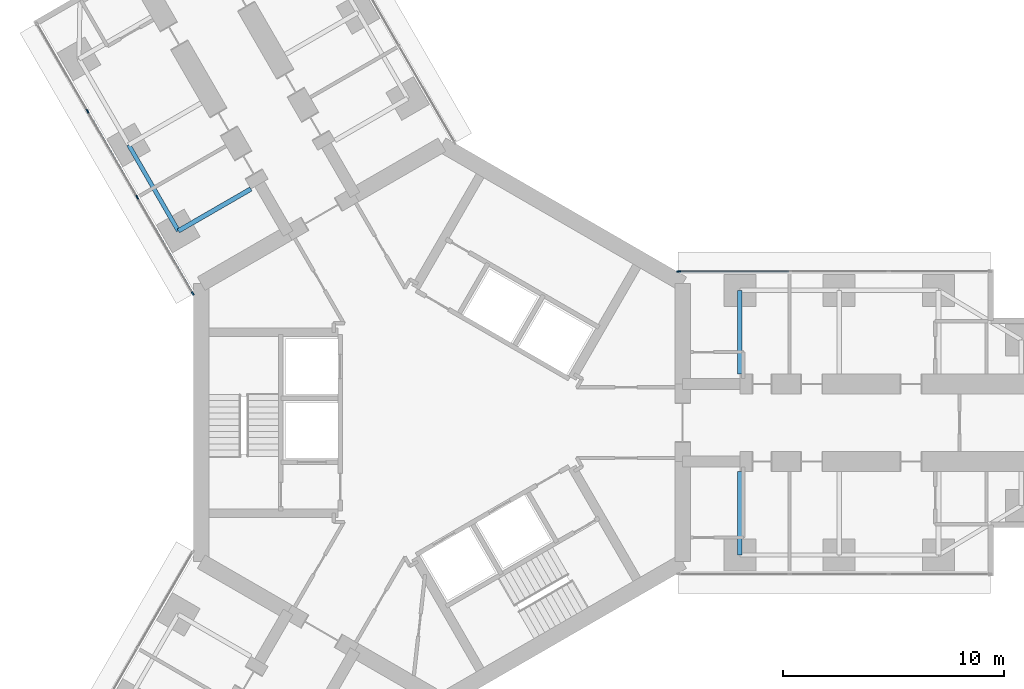
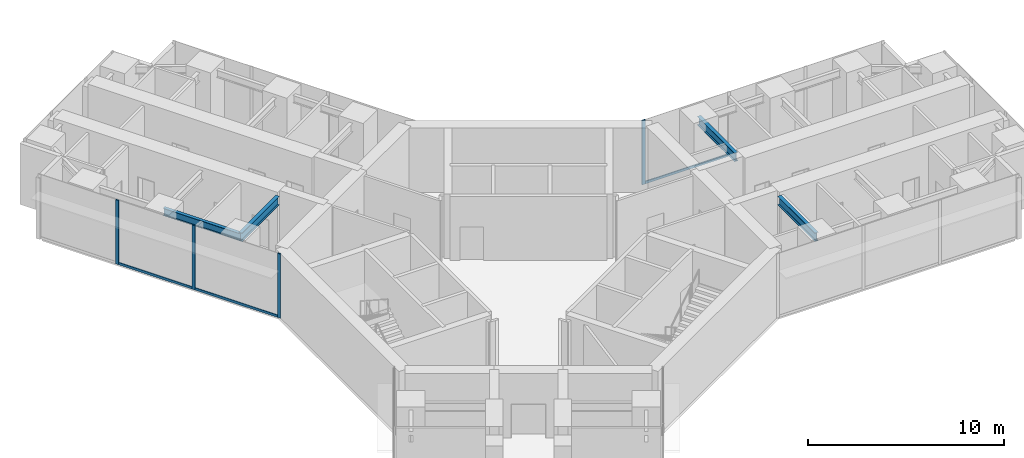
# One storey, part 6 of 24: 7 members, 4 beams, 2 elements without a shape of their own.
"""IFC4 building model written with IfcOpenShell, lengths in metres."""

import ifcopenshell
import ifcopenshell.guid

model = None  # the IFC model being written
_history = None  # IfcOwnerHistory: only IFC2X3 demands one
_inside = {}  # id of a spatial element -> (the spatial element, [elements in it])
_under = {}  # id of a project, library or spatial element -> (it, [spatial elements below it])
_declared = {}  # id of a project -> (the project, [libraries it declares])
_typed = {}  # id of a type object -> (the type object, [elements of that type])
_made_of = {}  # id of a material, layer set ... -> (it, [elements and type objects made of it])


def new_model(schema):
    """Start an empty IFC model of exactly this schema.

    Asked for "IFC4X3", IfcOpenShell would pick the latest addendum, in which some entities
    have other attributes; the version numbers below select the first issue.
    IFC2X3 requires an IfcOwnerHistory on every rooted entity: one is made here for all.
    """
    global model, _history
    if schema == "IFC4X3":
        model = ifcopenshell.file(schema_version=(4, 3, 0, 0))
    else:
        model = ifcopenshell.file(schema=schema)
    _inside.clear()
    _under.clear()
    _declared.clear()
    _typed.clear()
    _made_of.clear()
    _history = None
    if model.schema == "IFC2X3":
        org = make("IfcOrganization", Name="unknown")
        user = make(
            "IfcPersonAndOrganization",
            ThePerson=make("IfcPerson", FamilyName="unknown"),
            TheOrganization=org,
        )
        app = make(
            "IfcApplication",
            ApplicationDeveloper=org,
            Version="unknown",
            ApplicationFullName="unknown",
            ApplicationIdentifier="unknown",
        )
        _history = make(
            "IfcOwnerHistory",
            OwningUser=user,
            OwningApplication=app,
            ChangeAction="ADDED",
            CreationDate=0,
        )
    return model


def make(cls, **values):
    """One entity of the class cls with the attributes given. An attribute that is None is left unset."""
    return model.create_entity(
        cls, **{name: value for name, value in values.items() if value is not None}
    )


def rooted(cls, **values):
    """An entity with a GlobalId (a new one), such as an element, a storey or a relation."""
    return make(cls, GlobalId=ifcopenshell.guid.new(), OwnerHistory=_history, **values)


def si_unit(unit_type, name, prefix=None):
    """IfcSIUnit, for example si_unit("LENGTHUNIT", "METRE", prefix="MILLI")."""
    return make("IfcSIUnit", UnitType=unit_type, Prefix=prefix, Name=name)


def assignment(units):
    """IfcUnitAssignment: the units of a project."""
    return None if units is None else make("IfcUnitAssignment", Units=units)


def point(xyz):
    """IfcCartesianPoint."""
    return None if xyz is None else make("IfcCartesianPoint", Coordinates=xyz)


def direction(xyz):
    """IfcDirection."""
    return None if xyz is None else make("IfcDirection", DirectionRatios=xyz)


def frame(location, z_axis=None, x_axis=None):
    """IfcAxis2Placement3D, a coordinate frame: its origin and axes. An axis left out is left unset."""
    return make(
        "IfcAxis2Placement3D",
        Location=point(location),
        Axis=direction(z_axis),
        RefDirection=direction(x_axis),
    )


def frame_2d(location, x_axis=None):
    """IfcAxis2Placement2D, a coordinate frame in the plane: its origin and x axis."""
    return make(
        "IfcAxis2Placement2D", Location=point(location), RefDirection=direction(x_axis)
    )


def origin():
    """The frame at (0, 0, 0) with its axes left unset."""
    return frame((0.0, 0.0, 0.0))


def origin_2d():
    """The frame at (0, 0) in the plane with its x axis left unset."""
    return frame_2d((0.0, 0.0))


def place(relative_to, where):
    """IfcLocalPlacement: puts the frame where relative to a parent placement (None: the world)."""
    return make(
        "IfcLocalPlacement", PlacementRelTo=relative_to, RelativePlacement=where
    )


def context(
    kind, dimensions, precision=None, world=None, true_north=None, identifier=None
):
    """IfcGeometricRepresentationContext, for example the 3D "Model" context."""
    return make(
        "IfcGeometricRepresentationContext",
        ContextIdentifier=identifier,
        ContextType=kind,
        CoordinateSpaceDimension=dimensions,
        Precision=precision,
        WorldCoordinateSystem=world,
        TrueNorth=true_north,
    )


def subcontext(parent, identifier, kind, view, scale=None):
    """IfcGeometricRepresentationSubContext, for example "Body" below "Model"."""
    return make(
        "IfcGeometricRepresentationSubContext",
        ContextIdentifier=identifier,
        ContextType=kind,
        ParentContext=parent,
        TargetScale=scale,
        TargetView=view,
    )


def project(units=None, contexts=None):
    """IfcProject with its units and contexts."""
    return rooted(
        "IfcProject",
        Name="project",
        RepresentationContexts=contexts,
        UnitsInContext=assignment(units),
    )


def spatial(cls, under=None, at=None, **own):
    """A site, building, storey or space (cls), placed at a placement, below another one or the project."""
    s = rooted(cls, ObjectPlacement=at, **own)
    if under is not None:
        _under.setdefault(under.id(), (under, []))[1].append(s)
    return s


def profile(cls, at=None, kind="AREA", **sizes):
    """A parametric profile (cls). Its sizes go by their IFC names, for example OverallWidth=200.0."""
    return make(cls, ProfileType=kind, Position=at, **sizes)


def rectangle(**sizes):
    """IfcRectangleProfileDef."""
    return profile("IfcRectangleProfileDef", **sizes)


def i_section(**sizes):
    """IfcIShapeProfileDef."""
    return profile("IfcIShapeProfileDef", **sizes)


def extrude(swept, where, along, depth):
    """IfcExtrudedAreaSolid: the profile swept, set in the frame where, extruded along a direction by depth."""
    return make(
        "IfcExtrudedAreaSolid",
        SweptArea=swept,
        Position=where,
        ExtrudedDirection=direction(along),
        Depth=depth,
    )


def shape(context_of_items, identifier, shape_type, items):
    """IfcShapeRepresentation: the items that make up one representation, for example the "Body"."""
    return make(
        "IfcShapeRepresentation",
        ContextOfItems=context_of_items,
        RepresentationIdentifier=identifier,
        RepresentationType=shape_type,
        Items=items,
    )


def material(Name=None, Category=None):
    """IfcMaterial."""
    return make("IfcMaterial", Name=Name, Category=Category)


def material_profile(
    of_material, cross_section, Name=None, Category=None, Priority=None
):
    """IfcMaterialProfile: a cross section and its material."""
    return make(
        "IfcMaterialProfile",
        Name=Name,
        Material=of_material,
        Profile=cross_section,
        Priority=Priority,
        Category=Category,
    )


def profile_set(profiles, Name=None, composite=None):
    """IfcMaterialProfileSet."""
    return make(
        "IfcMaterialProfileSet",
        Name=Name,
        MaterialProfiles=profiles,
        CompositeProfile=composite,
    )


def made_of(thing, what):
    """Note that an element or type object is made of a material, layer set ...; save() writes the relation."""
    if what is not None:
        _made_of.setdefault(what.id(), (what, []))[1].append(thing)
    return thing


def type_object(cls, material=None, **own):
    """A type object (cls), such as IfcWallType, which elements share."""
    return made_of(rooted(cls, **own), material)


def element(
    cls,
    number,
    at=None,
    inside=None,
    cuts=None,
    type_object=None,
    material=None,
    context=None,
    identifier="Body",
    shape_type=None,
    held_by="IfcProductDefinitionShape",
    body=None,
    shapes=None,
    **own,
):
    """One element of the class cls, such as IfcWall. Its Tag is "e" and its number.

    at: its placement. inside: the storey or other place that contains it. cuts: it is an
    opening in that element (IfcRelVoidsElement). A single representation is given by context,
    identifier, shape_type and body (its items); several are given by shapes. held_by: the class
    of the entity that holds the representations. save() writes the other relations.
    """
    e = rooted(cls, Tag="e%d" % number, ObjectPlacement=at, **own)
    if body is not None:
        shapes = [shape(context, identifier, shape_type, body)]
    if shapes is not None:
        e.Representation = make(held_by, Representations=shapes)
    if inside is not None:
        _inside.setdefault(inside.id(), (inside, []))[1].append(e)
    if cuts is not None:
        rooted(
            "IfcRelVoidsElement", RelatingBuildingElement=cuts, RelatedOpeningElement=e
        )
    if type_object is not None:
        _typed.setdefault(type_object.id(), (type_object, []))[1].append(e)
    return made_of(e, material)


def aggregate(whole, parts):
    """IfcRelAggregates: a whole, such as a stair, and the parts it consists of."""
    return rooted("IfcRelAggregates", RelatingObject=whole, RelatedObjects=parts)


def save(model, path):
    """Write the relations noted so far, then the file.

    IfcRelAggregates (storeys below a building ...), IfcRelContainedInSpatialStructure (elements
    in a storey), IfcRelDefinesByType, IfcRelAssociatesMaterial and IfcRelDeclares: one each for
    every whole, place, type object, material and project.
    """
    for whole, parts in _under.values():
        aggregate(whole, parts)
    for where, things in _inside.values():
        rooted(
            "IfcRelContainedInSpatialStructure",
            RelatedElements=things,
            RelatingStructure=where,
        )
    for kind, things in _typed.values():
        rooted("IfcRelDefinesByType", RelatedObjects=things, RelatingType=kind)
    for what, things in _made_of.values():
        rooted("IfcRelAssociatesMaterial", RelatedObjects=things, RelatingMaterial=what)
    for by, libraries in _declared.values():
        rooted("IfcRelDeclares", RelatingContext=by, RelatedDefinitions=libraries)
    model.write(path)


model = new_model("IFC4")

# Units and contexts
model_context = context("Model", 3, precision=1e-05, world=origin(), true_north=direction((0.0, 1.0)))
body_context = subcontext(model_context, "Body", "Model", "MODEL_VIEW")
ifc_project = project(units=[si_unit("LENGTHUNIT", "METRE"), si_unit("AREAUNIT", "SQUARE_METRE"), si_unit("VOLUMEUNIT", "CUBIC_METRE"), si_unit("PLANEANGLEUNIT", "RADIAN"), si_unit("MASSUNIT", "GRAM", prefix="KILO")], contexts=[model_context])

# Site, building, storey
site_placement = place(None, origin())
site = spatial("IfcSite", under=ifc_project, at=site_placement, CompositionType="ELEMENT")
building_placement = place(site_placement, origin())
building = spatial("IfcBuilding", under=site, at=building_placement, Name="Upepo Twin Towers", CompositionType="ELEMENT")
storey_placement = place(building_placement, frame((0.0, 0.0, 56.5)))
storey = spatial("IfcBuildingStorey", under=building, at=storey_placement, Name="L13", CompositionType="ELEMENT", Elevation=56.5)

# Beams
ifc_material_1 = material(Name="Steel S355", Category="steel")
ifc_material_profile_1 = material_profile(ifc_material_1, i_section(OverallWidth=0.1904296875, OverallDepth=0.45703125, WebThickness=0.009033203125, FlangeThickness=0.014404296875, FilletRadius=0.01025390625, at=origin_2d()), Name="UB 457x191x74")
ifc_profile_set_1 = profile_set([ifc_material_profile_1], Name="Steel S355")
beam_type_1 = type_object("IfcBeamType", Name="Beam UB 457x191x74", PredefinedType="BEAM", material=ifc_profile_set_1)
beam_1_placement = place(storey_placement, frame((-11.946044921875, 8.69140625, 3.571533203125), z_axis=(-0.500013631625, 0.866017533419, 0.0), x_axis=(-0.866017533419, -0.500013631625, 0.0)))
element("IfcBeam", 1, at=beam_1_placement, inside=storey, type_object=beam_type_1, Name="T1 edge beam BL 13.5-18.0", PredefinedType="BEAM", context=body_context, shape_type="SweptSolid", body=[
    extrude(i_section(OverallWidth=0.1904296875, OverallDepth=0.45703125, WebThickness=0.009033203125, FlangeThickness=0.014404296875, FilletRadius=0.01025390625, at=origin_2d()), origin(), (0.0, 0.0, 1.0), 4.499755859375),
])
ifc_material_2 = material(Name="Steel S355", Category="steel")
ifc_material_profile_2 = material_profile(ifc_material_2, i_section(OverallWidth=0.209228515625, OverallDepth=0.533203125, WebThickness=0.010009765625, FlangeThickness=0.015625, FilletRadius=0.0126953125, at=origin_2d()), Name="UB 533x210x92")
ifc_profile_set_2 = profile_set([ifc_material_profile_2], Name="Steel S355")
beam_type_2 = type_object("IfcBeamType", Name="Beam UB 533x210x92", PredefinedType="BEAM", material=ifc_profile_set_2)
for number, where, z_axis, x_axis, name in (
    (2, (13.5, 6.0, 3.533447265625), (0.0, -1.0, 0.0), (1.0, 0.0, 0.0), "T1 girder AL at 13.5"),
    (3, (13.5, -6.0, 3.533447265625), (0.0, 1.0, 0.0), (-1.0, 0.0, 0.0), "T1 girder AR at 13.5"),
):
    element("IfcBeam", number, at=place(storey_placement, frame(where, z_axis=z_axis, x_axis=x_axis)), inside=storey, type_object=beam_type_2, Name=name, PredefinedType="BEAM", context=body_context, shape_type="SweptSolid", body=[
        extrude(i_section(OverallWidth=0.209228515625, OverallDepth=0.533203125, WebThickness=0.010009765625, FlangeThickness=0.015625, FilletRadius=0.0126953125, at=origin_2d()), origin(), (0.0, 0.0, 1.0), 3.800048828125),
    ])
beam_2_placement = place(storey_placement, frame((-11.946044921875, 8.69140625, 3.533447265625), z_axis=(0.866028304915, 0.499994975061, 0.0), x_axis=(-0.499994975061, 0.866028304915, 0.0)))
element("IfcBeam", 4, at=beam_2_placement, inside=storey, type_object=beam_type_2, Name="T1 girder BL at 13.5", PredefinedType="BEAM", context=body_context, shape_type="SweptSolid", body=[
    extrude(i_section(OverallWidth=0.209228515625, OverallDepth=0.533203125, WebThickness=0.010009765625, FlangeThickness=0.015625, FilletRadius=0.0126953125, at=origin_2d()), origin(), (0.0, 0.0, 1.0), 3.7998046875),
])

# Curtain wall, member
ifc_material_3 = material(Name="Aluminium and fritted glass", Category="aluminium")
curtain_wall_type = type_object("IfcCurtainWallType", Name="Tower curtain wall TW1, fritted glass", PredefinedType="NOTDEFINED", material=ifc_material_3)
curtain_wall_1_placement = place(storey_placement, origin())
curtain_wall_1 = element("IfcCurtainWall", 5, at=curtain_wall_1_placement, inside=storey, type_object=curtain_wall_type, Name="T1 L13 wing A flank L curtain wall", PredefinedType="NOTDEFINED")
ifc_material_4 = material(Name="Aluminium mullion", Category="aluminium")
ifc_material_profile_3 = material_profile(ifc_material_4, rectangle(XDim=0.06494140625, YDim=0.179931640625, at=origin_2d()), Name="MULLION 65x180")
ifc_profile_set_3 = profile_set([ifc_material_profile_3], Name="Aluminium mullion")
member_type_1 = type_object("IfcMemberType", Name="Mullion 65x180 TW1", PredefinedType="MULLION", material=ifc_profile_set_3)
member_1_placement = place(storey_placement, frame((10.7197265625, 6.85009765625, 0.0), z_axis=(0.0, 0.0, 1.0), x_axis=(0.0, 1.0, 0.0)))
member_1 = element("IfcMember", 6, at=member_1_placement, type_object=member_type_1, Name="T1 L13 wing A flank L curtain wall mullion 1", PredefinedType="MULLION", context=body_context, shape_type="SweptSolid", body=[
    extrude(rectangle(XDim=0.06494140625, YDim=0.179931640625, at=origin_2d()), origin(), (0.0, 0.0, 1.0), 4.0),
])

# Curtain wall, members
curtain_wall_2_placement = place(storey_placement, origin())
curtain_wall_2 = element("IfcCurtainWall", 7, at=curtain_wall_2_placement, inside=storey, type_object=curtain_wall_type, Name="T1 L13 wing B flank L curtain wall", PredefinedType="NOTDEFINED")
member_2_placement = place(storey_placement, frame((-11.2919921875, 5.8583984375, 0.0), z_axis=(0.0, 0.0, 1.0), x_axis=(-0.866025389682, -0.500000024426, 0.0)))
member_2 = element("IfcMember", 8, at=member_2_placement, type_object=member_type_1, Name="T1 L13 wing B flank L curtain wall mullion 1", PredefinedType="MULLION", context=body_context, shape_type="SweptSolid", body=[
    extrude(rectangle(XDim=0.06494140625, YDim=0.179931640625, at=origin_2d()), origin(), (0.0, 0.0, 1.0), 4.0),
])
member_3_placement = place(storey_placement, frame((-13.807373046875, 10.21484375, 0.0), z_axis=(0.0, 0.0, 1.0), x_axis=(-0.866025389682, -0.500000024426, 0.0)))
member_3 = element("IfcMember", 9, at=member_3_placement, type_object=member_type_1, Name="T1 L13 wing B flank L curtain wall mullion 2", PredefinedType="MULLION", context=body_context, shape_type="SweptSolid", body=[
    extrude(rectangle(XDim=0.06494140625, YDim=0.179931640625, at=origin_2d()), origin(), (0.0, 0.0, 1.0), 4.0),
])
member_4_placement = place(storey_placement, frame((-16.057373046875, 14.112060546875, 0.0), z_axis=(0.0, 0.0, 1.0), x_axis=(-0.866025389682, -0.500000024426, 0.0)))
member_4 = element("IfcMember", 10, at=member_4_placement, type_object=member_type_1, Name="T1 L13 wing B flank L curtain wall mullion 3", PredefinedType="MULLION", context=body_context, shape_type="SweptSolid", body=[
    extrude(rectangle(XDim=0.06494140625, YDim=0.179931640625, at=origin_2d()), origin(), (0.0, 0.0, 1.0), 4.0),
])

# Member
ifc_material_5 = material(Name="Aluminium transom", Category="aluminium")
ifc_material_profile_4 = material_profile(ifc_material_5, rectangle(XDim=0.06494140625, YDim=0.14990234375, at=origin_2d()), Name="TRANSOM 65x150")
ifc_profile_set_4 = profile_set([ifc_material_profile_4], Name="Aluminium transom")
member_type_2 = type_object("IfcMemberType", Name="Transom 65x150 TW1", PredefinedType="USERDEFINED", material=ifc_profile_set_4)
member_5_placement = place(storey_placement, frame((10.752197265625, 6.85009765625, 0.074951171875), z_axis=(1.0, 0.0, 0.0), x_axis=(0.0, 1.0, 0.0)))
member_5 = element("IfcMember", 11, at=member_5_placement, type_object=member_type_2, Name="T1 L13 wing A flank L curtain wall transom 1", ObjectType="TRANSOM", PredefinedType="USERDEFINED", context=body_context, shape_type="SweptSolid", body=[
    extrude(rectangle(XDim=0.06494140625, YDim=0.14990234375, at=origin_2d()), origin(), (0.0, 0.0, 1.0), 4.96533203125),
])

aggregate(curtain_wall_1, [member_1, member_5])

member_6_placement = place(storey_placement, frame((-11.308349609375, 5.88671875, 0.074951171875), z_axis=(-0.50000478328, 0.866022642139, 0.0), x_axis=(-0.866022642139, -0.50000478328, 0.0)))
member_6 = element("IfcMember", 12, at=member_6_placement, type_object=member_type_2, Name="T1 L13 wing B flank L curtain wall transom 1", ObjectType="TRANSOM", PredefinedType="USERDEFINED", context=body_context, shape_type="SweptSolid", body=[
    extrude(rectangle(XDim=0.06494140625, YDim=0.14990234375, at=origin_2d()), origin(), (0.0, 0.0, 1.0), 4.96533203125),
])

member_7_placement = place(storey_placement, frame((-13.823486328125, 10.2431640625, 0.074951171875), z_axis=(-0.500005184116, 0.866022410713, 0.0), x_axis=(-0.866022410713, -0.500005184116, 0.0)))
member_7 = element("IfcMember", 13, at=member_7_placement, type_object=member_type_2, Name="T1 L13 wing B flank L curtain wall transom 2", ObjectType="TRANSOM", PredefinedType="USERDEFINED", context=body_context, shape_type="SweptSolid", body=[
    extrude(rectangle(XDim=0.06494140625, YDim=0.14990234375, at=origin_2d()), origin(), (0.0, 0.0, 1.0), 4.43505859375),
])

aggregate(curtain_wall_2, [member_2, member_3, member_4, member_6, member_7])

save(model, "model.ifc")
